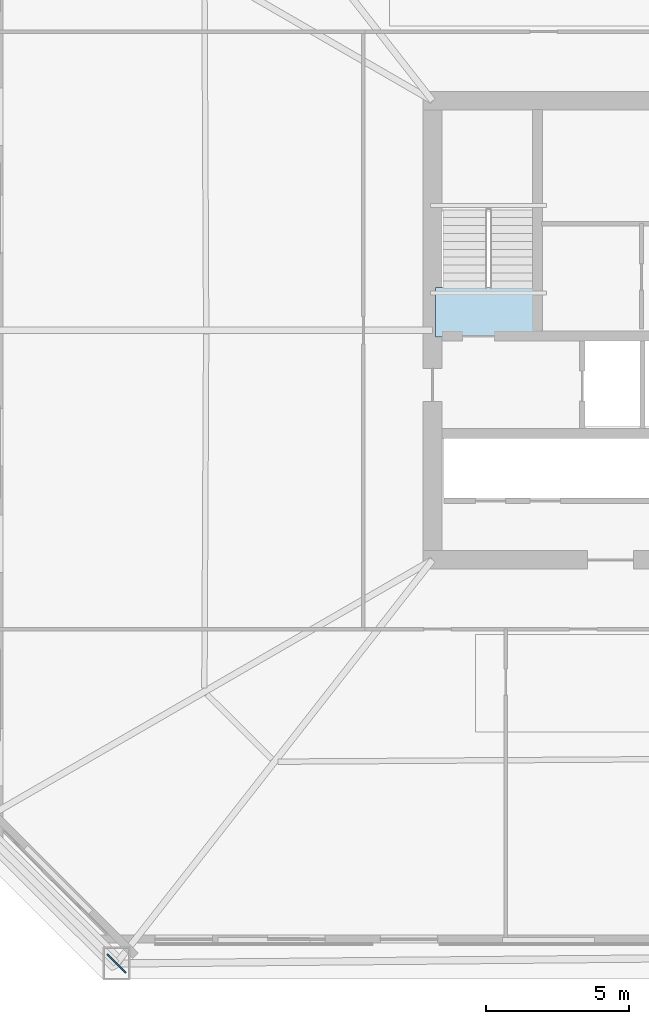
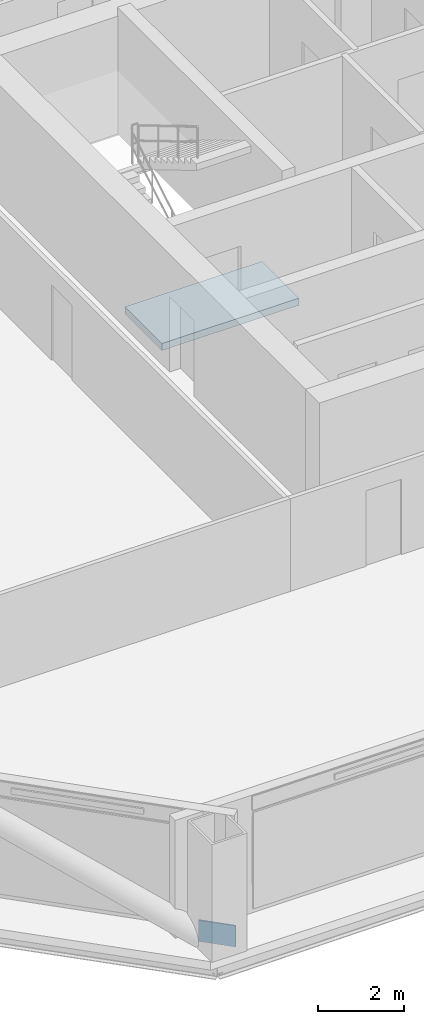
# One storey, part 2 of 9: 1 plate, 1 slab, 1 element without a shape of its own.
"""IFC4 building model written with IfcOpenShell, lengths in metres."""

from ifc_helpers import new_model, si_unit, direction, frame, origin, origin_2d, place, context, subcontext, project, spatial, polyline, rectangle, outline, extrude, material, layer, layer_set, type_object, element, aggregate, save


model = new_model("IFC4")

# Units and contexts
model_context = context("Model", 3, precision=1e-05, world=origin(), true_north=direction((0.0, 1.0)))
body_context = subcontext(model_context, "Body", "Model", "MODEL_VIEW")
ifc_project = project(units=[si_unit("LENGTHUNIT", "METRE"), si_unit("AREAUNIT", "SQUARE_METRE"), si_unit("VOLUMEUNIT", "CUBIC_METRE"), si_unit("PLANEANGLEUNIT", "RADIAN"), si_unit("MASSUNIT", "GRAM", prefix="KILO")], contexts=[model_context])

# Site, building, storey
site_placement = place(None, origin())
site = spatial("IfcSite", under=ifc_project, at=site_placement, CompositionType="ELEMENT")
building_placement = place(site_placement, origin())
building = spatial("IfcBuilding", under=site, at=building_placement, Name="Caelvoria Tower", CompositionType="ELEMENT")
storey_placement = place(building_placement, frame((0.0, 0.0, 53.199951171875)))
storey = spatial("IfcBuildingStorey", under=building, at=storey_placement, Name="L13", CompositionType="ELEMENT", Elevation=53.199951171875)

# Plate
ifc_material_1 = material(Name="Structural Steel ASTM A572 Gr.50", Category="steel")
ifc_layer_1 = layer(ifc_material_1, 0.0400390625, Name="Structural Steel ASTM A572 Gr.50")
ifc_layer_set_1 = layer_set([ifc_layer_1], Name="Megaframe Node Gusset Plate 900x600x40 - Structural Steel ASTM A572 Gr.50")
plate_type = type_object("IfcPlateType", Name="Megaframe Node Gusset Plate 900x600x40", PredefinedType="USERDEFINED", material=ifc_layer_set_1)
plate_placement = place(storey_placement, frame((25.983642578125, 9.933349609375, 0.02001953125), z_axis=(0.0, 0.0, 1.0), x_axis=(-0.708220325679, 0.705991480328, 0.0)))
element("IfcPlate", 1, at=plate_placement, inside=storey, type_object=plate_type, Name="Chamfer Mega Brace Gusset L13 SW", ObjectType="GUSSET_PLATE", PredefinedType="USERDEFINED", context=body_context, shape_type="SweptSolid", body=[
    extrude(rectangle(XDim=0.89990234375, YDim=0.0400390625, at=origin_2d()), origin(), (0.0, 0.0, 1.0), 0.60009765625),
])

# Stair, slab
ifc_material_2 = material(Name="Concrete C40/50", Category="concrete")
stair_type = type_object("IfcStairType", Name="Core Smokeproof Dogleg Stair Concrete C40/50", PredefinedType="HALF_TURN_STAIR", material=ifc_material_2)
stair_placement = place(storey_placement, origin())
stair = element("IfcStair", 2, at=stair_placement, inside=storey, type_object=stair_type, Name="ST-01 Smokeproof Exit Stair L13", PredefinedType="HALF_TURN_STAIR")
ifc_layer_2 = layer(ifc_material_2, 0.199951171875, Name="Concrete C40/50")
ifc_layer_set_2 = layer_set([ifc_layer_2], Name="Stair Half and Floor Landing Slab 200 Concrete C40/50 - Concrete C40/50")
slab_type = type_object("IfcSlabType", Name="Stair Half and Floor Landing Slab 200 Concrete C40/50", PredefinedType="LANDING", material=ifc_layer_set_2)
slab_placement = place(storey_placement, frame((0.0, 0.0, -0.199951171875)))
slab = element("IfcSlab", 3, at=slab_placement, type_object=slab_type, Name="ST-01 landing 1", PredefinedType="LANDING", context=body_context, shape_type="SweptSolid", body=[
    extrude(outline(polyline([(37.10009765625, 31.77001953125), (40.800048828125, 31.77001953125), (40.800048828125, 33.5), (37.10009765625, 33.5), (37.10009765625, 31.77001953125)])), origin(), (0.0, 0.0, 1.0), 0.199951171875),
])
aggregate(stair, [slab])

save(model, "model.ifc")
